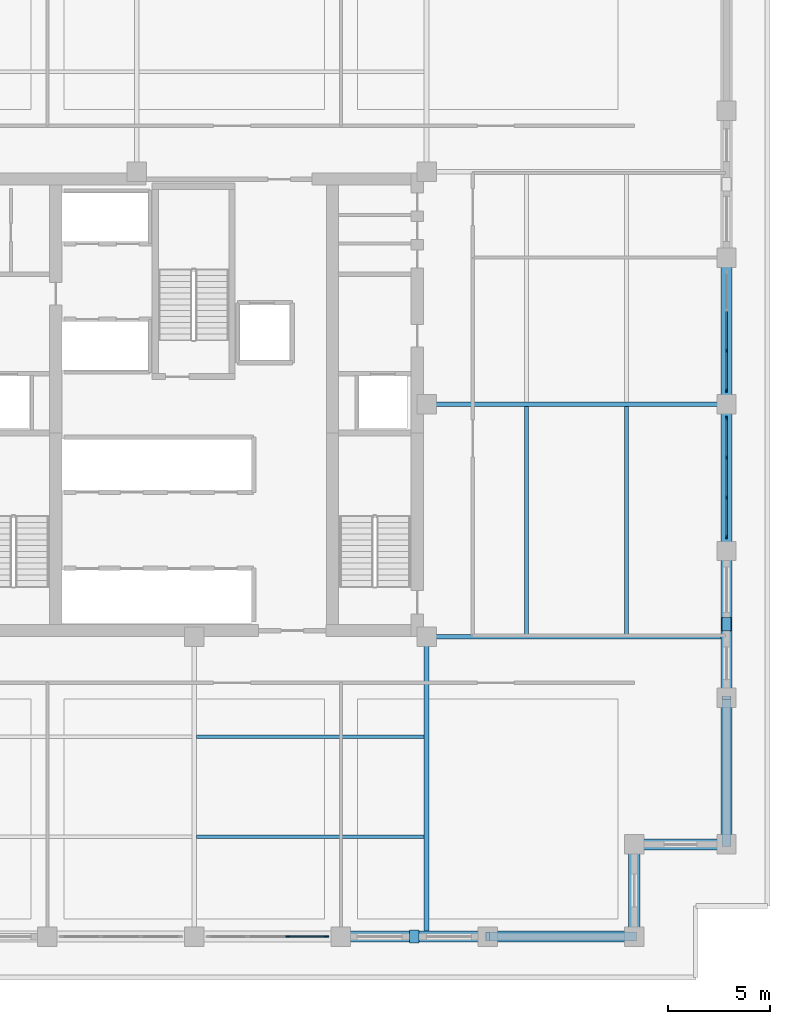
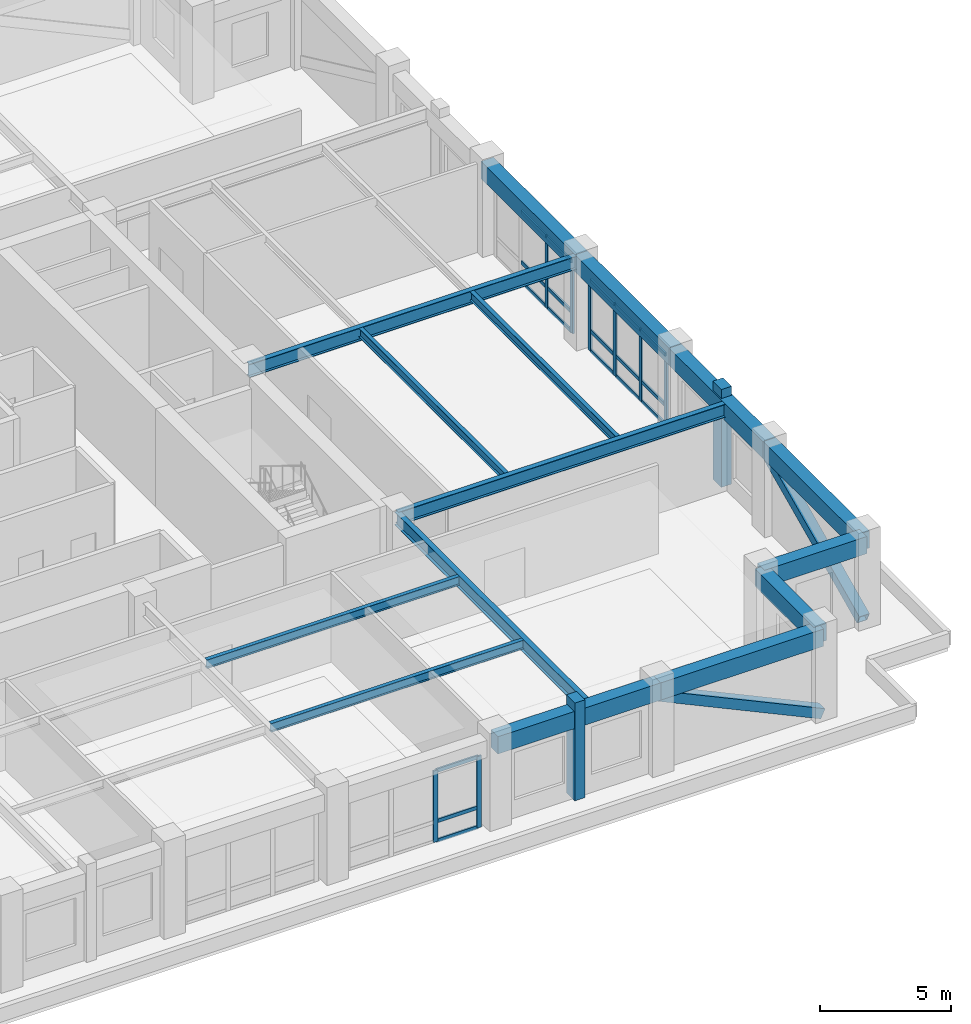
# One storey, part 4 of 16: 30 members, 15 beams, 3 elements without a shape of their own.
"""IFC4 building model written with IfcOpenShell, lengths in metres."""

from ifc_helpers import new_model, si_unit, direction, frame, origin, origin_2d, place, context, subcontext, project, spatial, rectangle, hollow_rectangle, i_section, extrude, material, layer, layer_set, material_profile, profile_set, type_object, element, aggregate, save


model = new_model("IFC4")

# Units and contexts
model_context = context("Model", 3, precision=1e-05, world=origin(), true_north=direction((0.0, 1.0)))
body_context = subcontext(model_context, "Body", "Model", "MODEL_VIEW")
ifc_project = project(units=[si_unit("LENGTHUNIT", "METRE"), si_unit("AREAUNIT", "SQUARE_METRE"), si_unit("VOLUMEUNIT", "CUBIC_METRE"), si_unit("PLANEANGLEUNIT", "RADIAN"), si_unit("MASSUNIT", "GRAM", prefix="KILO")], contexts=[model_context])

# Site, building, storey
site_placement = place(None, origin())
site = spatial("IfcSite", under=ifc_project, at=site_placement, CompositionType="ELEMENT")
building_placement = place(site_placement, origin())
building = spatial("IfcBuilding", under=site, at=building_placement, Name="Nhamokura Convention Tower", CompositionType="ELEMENT")
storey_placement = place(building_placement, frame((0.0, 0.0, 106.050048828125)))
storey = spatial("IfcBuildingStorey", under=building, at=storey_placement, Name="L25", CompositionType="ELEMENT", Elevation=106.050048828125)

# Members
ifc_material_1 = material(Name="Bronze-pigmented precast concrete C45/55", Category="concrete")
ifc_material_profile_1 = material_profile(ifc_material_1, rectangle(XDim=0.449951171875, YDim=0.64990234375, at=origin_2d()))
ifc_profile_set_1 = profile_set([ifc_material_profile_1], Name="Bronze-pigmented precast concrete C45/55")
member_type_1 = type_object("IfcMemberType", Name="BronzePilaster_650", PredefinedType="USERDEFINED", material=ifc_profile_set_1)
for number, where, z_axis, x_axis, name in (
    (1, (42.75, 6.0, 0.0), (0.0, 0.0, 1.0), (1.0, 0.0, 0.0), "L25 Engaged Frame Pilaster SOUTH 4"),
    (2, (58.0, 21.25, 0.0), (0.0, 0.0, 1.0), (1.0, 0.0, 0.0), "L25 Engaged Frame Pilaster EAST 1"),
):
    element("IfcMember", number, at=place(storey_placement, frame(where, z_axis=z_axis, x_axis=x_axis)), inside=storey, type_object=member_type_1, Name=name, ObjectType="PILASTER_TRIM", PredefinedType="USERDEFINED", context=body_context, shape_type="SweptSolid", body=[
        extrude(rectangle(XDim=0.449951171875, YDim=0.64990234375, at=origin_2d()), origin(), (0.0, 0.0, 1.0), 4.550048828125),
    ])

# Curtain wall, members
ifc_material_2 = material(Name="Anodised bronze aluminium AA6063-T6", Category="aluminium")
ifc_layer = layer(ifc_material_2, 0.18994140625)
ifc_layer_set = layer_set([ifc_layer], Name="CWSystem_SkyLobby")
curtain_wall_type = type_object("IfcCurtainWallType", Name="CWSystem_SkyLobby", PredefinedType="NOTDEFINED", material=ifc_layer_set)
curtain_wall_1_placement = place(storey_placement, origin())
curtain_wall_1 = element("IfcCurtainWall", 3, at=curtain_wall_1_placement, inside=storey, type_object=curtain_wall_type, Name="L25 Curtain Wall ENV-L25-CW-S3", PredefinedType="NOTDEFINED")
ifc_material_3 = material(Name="Anodised bronze aluminium AA6063-T6", Category="aluminium")
ifc_material_profile_2 = material_profile(ifc_material_3, rectangle(XDim=0.074951171875, YDim=0.199951171875, at=origin_2d()))
ifc_profile_set_2 = profile_set([ifc_material_profile_2], Name="Anodised bronze aluminium AA6063-T6")
member_type_2 = type_object("IfcMemberType", Name="CWMullion_2", PredefinedType="MULLION", material=ifc_profile_set_2)
member_1_placement = place(storey_placement, frame((38.479248046875, 6.0, 0.0), z_axis=(0.0, 0.0, 1.0), x_axis=(0.0, -1.0, 0.0)))
member_1 = element("IfcMember", 4, at=member_1_placement, type_object=member_type_2, Name="CW-06 mullion 1", PredefinedType="MULLION", context=body_context, shape_type="SweptSolid", body=[
    extrude(rectangle(XDim=0.074951171875, YDim=0.199951171875, at=origin_2d()), origin(), (0.0, 0.0, 1.0), 3.329833984375),
])
member_2_placement = place(storey_placement, frame((36.56103515625, 6.0, 0.0), z_axis=(0.0, 0.0, 1.0), x_axis=(0.0, -1.0, 0.0)))
member_2 = element("IfcMember", 5, at=member_2_placement, type_object=member_type_2, Name="CW-06 mullion 2", PredefinedType="MULLION", context=body_context, shape_type="SweptSolid", body=[
    extrude(rectangle(XDim=0.074951171875, YDim=0.199951171875, at=origin_2d()), origin(), (0.0, 0.0, 1.0), 3.329833984375),
])

curtain_wall_2_placement = place(storey_placement, origin())
curtain_wall_2 = element("IfcCurtainWall", 6, at=curtain_wall_2_placement, inside=storey, type_object=curtain_wall_type, Name="L25 Curtain Wall ENV-L25-CW-E2", PredefinedType="NOTDEFINED")
member_3_placement = place(storey_placement, frame((58.0, 31.3125, 0.0), z_axis=(0.0, 0.0, 1.0), x_axis=(1.0, 0.0, 0.0)))
member_3 = element("IfcMember", 7, at=member_3_placement, type_object=member_type_2, Name="CW-06 mullion 1", PredefinedType="MULLION", context=body_context, shape_type="SweptSolid", body=[
    extrude(rectangle(XDim=0.074951171875, YDim=0.199951171875, at=origin_2d()), origin(), (0.0, 0.0, 1.0), 3.329833984375),
])
member_4_placement = place(storey_placement, frame((58.0, 29.39453125, 0.0), z_axis=(0.0, 0.0, 1.0), x_axis=(1.0, 0.0, 0.0)))
member_4 = element("IfcMember", 8, at=member_4_placement, type_object=member_type_2, Name="CW-06 mullion 2", PredefinedType="MULLION", context=body_context, shape_type="SweptSolid", body=[
    extrude(rectangle(XDim=0.074951171875, YDim=0.199951171875, at=origin_2d()), origin(), (0.0, 0.0, 1.0), 3.329833984375),
])
member_5_placement = place(storey_placement, frame((58.0, 27.43896484375, 0.0), z_axis=(0.0, 0.0, 1.0), x_axis=(1.0, 0.0, 0.0)))
member_5 = element("IfcMember", 9, at=member_5_placement, type_object=member_type_2, Name="CW-06 mullion 3", PredefinedType="MULLION", context=body_context, shape_type="SweptSolid", body=[
    extrude(rectangle(XDim=0.074951171875, YDim=0.199951171875, at=origin_2d()), origin(), (0.0, 0.0, 1.0), 3.329833984375),
])
member_6_placement = place(storey_placement, frame((58.0, 25.520751953125, 0.0), z_axis=(0.0, 0.0, 1.0), x_axis=(1.0, 0.0, 0.0)))
member_6 = element("IfcMember", 10, at=member_6_placement, type_object=member_type_2, Name="CW-06 mullion 4", PredefinedType="MULLION", context=body_context, shape_type="SweptSolid", body=[
    extrude(rectangle(XDim=0.074951171875, YDim=0.199951171875, at=origin_2d()), origin(), (0.0, 0.0, 1.0), 3.329833984375),
])

curtain_wall_3_placement = place(storey_placement, origin())
curtain_wall_3 = element("IfcCurtainWall", 11, at=curtain_wall_3_placement, inside=storey, type_object=curtain_wall_type, Name="L25 Curtain Wall ENV-L25-CW-E3", PredefinedType="NOTDEFINED")
member_7_placement = place(storey_placement, frame((58.0, 34.60546875, 0.0), z_axis=(0.0, 0.0, 1.0), x_axis=(1.0, 0.0, 0.0)))
member_7 = element("IfcMember", 12, at=member_7_placement, type_object=member_type_2, Name="CW-06 mullion 3", PredefinedType="MULLION", context=body_context, shape_type="SweptSolid", body=[
    extrude(rectangle(XDim=0.074951171875, YDim=0.199951171875, at=origin_2d()), origin(), (0.0, 0.0, 1.0), 3.329833984375),
])
member_8_placement = place(storey_placement, frame((58.0, 32.6875, 0.0), z_axis=(0.0, 0.0, 1.0), x_axis=(1.0, 0.0, 0.0)))
member_8 = element("IfcMember", 13, at=member_8_placement, type_object=member_type_2, Name="CW-06 mullion 4", PredefinedType="MULLION", context=body_context, shape_type="SweptSolid", body=[
    extrude(rectangle(XDim=0.074951171875, YDim=0.199951171875, at=origin_2d()), origin(), (0.0, 0.0, 1.0), 3.329833984375),
])

# Member
ifc_material_4 = material(Name="Anodised bronze aluminium AA6063-T6", Category="aluminium")
ifc_material_profile_3 = material_profile(ifc_material_4, rectangle(XDim=0.074951171875, YDim=0.169921875, at=origin_2d()))
ifc_profile_set_3 = profile_set([ifc_material_profile_3], Name="Anodised bronze aluminium AA6063-T6")
member_type_3 = type_object("IfcMemberType", Name="CWTransom_2", PredefinedType="USERDEFINED", material=ifc_profile_set_3)
member_9_placement = place(storey_placement, frame((38.441650390625, 6.0, 0.037353515625), z_axis=(-1.0, 0.0, 0.0), x_axis=(0.0, -1.0, 0.0)))
member_9 = element("IfcMember", 14, at=member_9_placement, type_object=member_type_3, Name="CW-06 transom 1.1", ObjectType="TRANSOM", PredefinedType="USERDEFINED", context=body_context, shape_type="SweptSolid", body=[
    extrude(rectangle(XDim=0.074951171875, YDim=0.169921875, at=origin_2d()), origin(), (0.0, 0.0, 1.0), 1.843017578125),
])

member_10_placement = place(storey_placement, frame((38.441650390625, 6.0, 0.949951171875), z_axis=(-1.0, 0.0, 0.0), x_axis=(0.0, -1.0, 0.0)))
member_10 = element("IfcMember", 15, at=member_10_placement, type_object=member_type_3, Name="CW-06 transom 1.2", ObjectType="TRANSOM", PredefinedType="USERDEFINED", context=body_context, shape_type="SweptSolid", body=[
    extrude(rectangle(XDim=0.074951171875, YDim=0.169921875, at=origin_2d()), origin(), (0.0, 0.0, 1.0), 1.843017578125),
])

member_11_placement = place(storey_placement, frame((38.441650390625, 6.0, 3.29248046875), z_axis=(-1.0, 0.0, 0.0), x_axis=(0.0, -1.0, 0.0)))
member_11 = element("IfcMember", 16, at=member_11_placement, type_object=member_type_3, Name="CW-06 transom 1.3", ObjectType="TRANSOM", PredefinedType="USERDEFINED", context=body_context, shape_type="SweptSolid", body=[
    extrude(rectangle(XDim=0.074951171875, YDim=0.169921875, at=origin_2d()), origin(), (0.0, 0.0, 1.0), 1.843017578125),
])

aggregate(curtain_wall_1, [member_1, member_2, member_9, member_10, member_11])

member_12_placement = place(storey_placement, frame((58.0, 31.27490234375, 0.037353515625), z_axis=(0.0, -1.0, 0.0), x_axis=(1.0, 0.0, 0.0)))
member_12 = element("IfcMember", 17, at=member_12_placement, type_object=member_type_3, Name="CW-06 transom 1.1", ObjectType="TRANSOM", PredefinedType="USERDEFINED", context=body_context, shape_type="SweptSolid", body=[
    extrude(rectangle(XDim=0.074951171875, YDim=0.169921875, at=origin_2d()), origin(), (0.0, 0.0, 1.0), 1.843017578125),
])

member_13_placement = place(storey_placement, frame((58.0, 31.27490234375, 0.949951171875), z_axis=(0.0, -1.0, 0.0), x_axis=(1.0, 0.0, 0.0)))
member_13 = element("IfcMember", 18, at=member_13_placement, type_object=member_type_3, Name="CW-06 transom 1.2", ObjectType="TRANSOM", PredefinedType="USERDEFINED", context=body_context, shape_type="SweptSolid", body=[
    extrude(rectangle(XDim=0.074951171875, YDim=0.169921875, at=origin_2d()), origin(), (0.0, 0.0, 1.0), 1.843017578125),
])

member_14_placement = place(storey_placement, frame((58.0, 31.27490234375, 3.29248046875), z_axis=(0.0, -1.0, 0.0), x_axis=(1.0, 0.0, 0.0)))
member_14 = element("IfcMember", 19, at=member_14_placement, type_object=member_type_3, Name="CW-06 transom 1.3", ObjectType="TRANSOM", PredefinedType="USERDEFINED", context=body_context, shape_type="SweptSolid", body=[
    extrude(rectangle(XDim=0.074951171875, YDim=0.169921875, at=origin_2d()), origin(), (0.0, 0.0, 1.0), 1.843017578125),
])

member_15_placement = place(storey_placement, frame((58.0, 29.35693359375, 0.037353515625), z_axis=(0.0, -1.0, 0.0), x_axis=(1.0, 0.0, 0.0)))
member_15 = element("IfcMember", 20, at=member_15_placement, type_object=member_type_3, Name="CW-06 transom 2.1", ObjectType="TRANSOM", PredefinedType="USERDEFINED", context=body_context, shape_type="SweptSolid", body=[
    extrude(rectangle(XDim=0.074951171875, YDim=0.169921875, at=origin_2d()), origin(), (0.0, 0.0, 1.0), 1.880615234375),
])

member_16_placement = place(storey_placement, frame((58.0, 29.35693359375, 0.949951171875), z_axis=(0.0, -1.0, 0.0), x_axis=(1.0, 0.0, 0.0)))
member_16 = element("IfcMember", 21, at=member_16_placement, type_object=member_type_3, Name="CW-06 transom 2.2", ObjectType="TRANSOM", PredefinedType="USERDEFINED", context=body_context, shape_type="SweptSolid", body=[
    extrude(rectangle(XDim=0.074951171875, YDim=0.169921875, at=origin_2d()), origin(), (0.0, 0.0, 1.0), 1.880615234375),
])

member_17_placement = place(storey_placement, frame((58.0, 29.35693359375, 3.29248046875), z_axis=(0.0, -1.0, 0.0), x_axis=(1.0, 0.0, 0.0)))
member_17 = element("IfcMember", 22, at=member_17_placement, type_object=member_type_3, Name="CW-06 transom 2.3", ObjectType="TRANSOM", PredefinedType="USERDEFINED", context=body_context, shape_type="SweptSolid", body=[
    extrude(rectangle(XDim=0.074951171875, YDim=0.169921875, at=origin_2d()), origin(), (0.0, 0.0, 1.0), 1.880615234375),
])

member_18_placement = place(storey_placement, frame((58.0, 27.4013671875, 0.037353515625), z_axis=(0.0, -1.0, 0.0), x_axis=(1.0, 0.0, 0.0)))
member_18 = element("IfcMember", 23, at=member_18_placement, type_object=member_type_3, Name="CW-06 transom 3.1", ObjectType="TRANSOM", PredefinedType="USERDEFINED", context=body_context, shape_type="SweptSolid", body=[
    extrude(rectangle(XDim=0.074951171875, YDim=0.169921875, at=origin_2d()), origin(), (0.0, 0.0, 1.0), 1.843017578125),
])

member_19_placement = place(storey_placement, frame((58.0, 27.4013671875, 0.949951171875), z_axis=(0.0, -1.0, 0.0), x_axis=(1.0, 0.0, 0.0)))
member_19 = element("IfcMember", 24, at=member_19_placement, type_object=member_type_3, Name="CW-06 transom 3.2", ObjectType="TRANSOM", PredefinedType="USERDEFINED", context=body_context, shape_type="SweptSolid", body=[
    extrude(rectangle(XDim=0.074951171875, YDim=0.169921875, at=origin_2d()), origin(), (0.0, 0.0, 1.0), 1.843017578125),
])

member_20_placement = place(storey_placement, frame((58.0, 27.4013671875, 3.29248046875), z_axis=(0.0, -1.0, 0.0), x_axis=(1.0, 0.0, 0.0)))
member_20 = element("IfcMember", 25, at=member_20_placement, type_object=member_type_3, Name="CW-06 transom 3.3", ObjectType="TRANSOM", PredefinedType="USERDEFINED", context=body_context, shape_type="SweptSolid", body=[
    extrude(rectangle(XDim=0.074951171875, YDim=0.169921875, at=origin_2d()), origin(), (0.0, 0.0, 1.0), 1.843017578125),
])

aggregate(curtain_wall_2, [member_3, member_4, member_5, member_6, member_12, member_13, member_14, member_15, member_16, member_17, member_18, member_19, member_20])

member_21_placement = place(storey_placement, frame((58.0, 36.523681640625, 0.037353515625), z_axis=(0.0, -1.0, 0.0), x_axis=(1.0, 0.0, 0.0)))
member_21 = element("IfcMember", 26, at=member_21_placement, type_object=member_type_3, Name="CW-06 transom 2.1", ObjectType="TRANSOM", PredefinedType="USERDEFINED", context=body_context, shape_type="SweptSolid", body=[
    extrude(rectangle(XDim=0.074951171875, YDim=0.169921875, at=origin_2d()), origin(), (0.0, 0.0, 1.0), 1.880615234375),
])

member_22_placement = place(storey_placement, frame((58.0, 36.523681640625, 0.949951171875), z_axis=(0.0, -1.0, 0.0), x_axis=(1.0, 0.0, 0.0)))
member_22 = element("IfcMember", 27, at=member_22_placement, type_object=member_type_3, Name="CW-06 transom 2.2", ObjectType="TRANSOM", PredefinedType="USERDEFINED", context=body_context, shape_type="SweptSolid", body=[
    extrude(rectangle(XDim=0.074951171875, YDim=0.169921875, at=origin_2d()), origin(), (0.0, 0.0, 1.0), 1.880615234375),
])

member_23_placement = place(storey_placement, frame((58.0, 36.523681640625, 3.29248046875), z_axis=(0.0, -1.0, 0.0), x_axis=(1.0, 0.0, 0.0)))
member_23 = element("IfcMember", 28, at=member_23_placement, type_object=member_type_3, Name="CW-06 transom 2.3", ObjectType="TRANSOM", PredefinedType="USERDEFINED", context=body_context, shape_type="SweptSolid", body=[
    extrude(rectangle(XDim=0.074951171875, YDim=0.169921875, at=origin_2d()), origin(), (0.0, 0.0, 1.0), 1.880615234375),
])

member_24_placement = place(storey_placement, frame((58.0, 34.568115234375, 0.037353515625), z_axis=(0.0, -1.0, 0.0), x_axis=(1.0, 0.0, 0.0)))
member_24 = element("IfcMember", 29, at=member_24_placement, type_object=member_type_3, Name="CW-06 transom 3.1", ObjectType="TRANSOM", PredefinedType="USERDEFINED", context=body_context, shape_type="SweptSolid", body=[
    extrude(rectangle(XDim=0.074951171875, YDim=0.169921875, at=origin_2d()), origin(), (0.0, 0.0, 1.0), 1.843017578125),
])

member_25_placement = place(storey_placement, frame((58.0, 34.568115234375, 0.949951171875), z_axis=(0.0, -1.0, 0.0), x_axis=(1.0, 0.0, 0.0)))
member_25 = element("IfcMember", 30, at=member_25_placement, type_object=member_type_3, Name="CW-06 transom 3.2", ObjectType="TRANSOM", PredefinedType="USERDEFINED", context=body_context, shape_type="SweptSolid", body=[
    extrude(rectangle(XDim=0.074951171875, YDim=0.169921875, at=origin_2d()), origin(), (0.0, 0.0, 1.0), 1.843017578125),
])

member_26_placement = place(storey_placement, frame((58.0, 34.568115234375, 3.29248046875), z_axis=(0.0, -1.0, 0.0), x_axis=(1.0, 0.0, 0.0)))
member_26 = element("IfcMember", 31, at=member_26_placement, type_object=member_type_3, Name="CW-06 transom 3.3", ObjectType="TRANSOM", PredefinedType="USERDEFINED", context=body_context, shape_type="SweptSolid", body=[
    extrude(rectangle(XDim=0.074951171875, YDim=0.169921875, at=origin_2d()), origin(), (0.0, 0.0, 1.0), 1.843017578125),
])

aggregate(curtain_wall_3, [member_7, member_8, member_21, member_22, member_23, member_24, member_25, member_26])

# Beams
ifc_material_5 = material(Name="Steel ASTM A992 Gr 50", Category="steel")
ifc_material_profile_4 = material_profile(ifc_material_5, i_section(OverallWidth=0.177001953125, OverallDepth=0.403076171875, WebThickness=0.007568359375, FlangeThickness=0.010986328125, at=origin_2d()))
ifc_profile_set_4 = profile_set([ifc_material_profile_4], Name="Steel ASTM A992 Gr 50")
beam_type_1 = type_object("IfcBeamType", Name="FloorJoist_W410X53", PredefinedType="JOIST", material=ifc_profile_set_4)
for number, where, z_axis, x_axis, name in (
    (32, (32.113037109375, 10.88330078125, 3.928466796875), (1.0, 0.0, 0.0), (0.0, 1.0, 0.0), "L25 Composite Floor Joist S1B"),
    (33, (32.113037109375, 15.7666015625, 3.928466796875), (1.0, 0.0, 0.0), (0.0, 1.0, 0.0), "L25 Composite Floor Joist S2B"),
    (34, (48.2333984375, 20.762939453125, 3.928466796875), (0.0, 1.0, 0.0), (-1.0, 0.0, 0.0), "L25 Composite Floor Joist E1A"),
    (35, (53.11669921875, 20.762939453125, 3.928466796875), (0.0, 1.0, 0.0), (-1.0, 0.0, 0.0), "L25 Composite Floor Joist E2A"),
):
    element("IfcBeam", number, at=place(storey_placement, frame(where, z_axis=z_axis, x_axis=x_axis)), inside=storey, type_object=beam_type_1, Name=name, PredefinedType="JOIST", context=body_context, shape_type="SweptSolid", body=[
        extrude(i_section(OverallWidth=0.177001953125, OverallDepth=0.403076171875, WebThickness=0.007568359375, FlangeThickness=0.010986328125, at=origin_2d()), origin(), (0.0, 0.0, 1.0), 11.1240234375),
    ])
ifc_material_6 = material(Name="Steel ASTM A992 Gr 50", Category="steel")
ifc_material_profile_5 = material_profile(ifc_material_6, i_section(OverallWidth=0.22998046875, OverallDepth=0.616943359375, WebThickness=0.01318359375, FlangeThickness=0.022216796875, at=origin_2d()))
ifc_profile_set_5 = profile_set([ifc_material_profile_5], Name="Steel ASTM A992 Gr 50")
beam_type_2 = type_object("IfcBeamType", Name="PrimaryGirder_W610X140", PredefinedType="BEAM", material=ifc_profile_set_5)
for number, where, z_axis, x_axis, name in (
    (36, (43.35009765625, 6.0, 3.821533203125), (0.0, 1.0, 0.0), (-1.0, 0.0, 0.0), "L25 Primary Floor Girder PG-S3"),
    (37, (43.35009765625, 20.64990234375, 3.821533203125), (1.0, 0.0, 0.0), (0.0, 1.0, 0.0), "L25 Primary Floor Girder PG-E1"),
    (38, (43.35009765625, 32.0, 3.821533203125), (1.0, 0.0, 0.0), (0.0, 1.0, 0.0), "L25 Primary Floor Girder PG-E2"),
):
    element("IfcBeam", number, at=place(storey_placement, frame(where, z_axis=z_axis, x_axis=x_axis)), inside=storey, type_object=beam_type_2, Name=name, PredefinedType="BEAM", context=body_context, shape_type="SweptSolid", body=[
        extrude(i_section(OverallWidth=0.22998046875, OverallDepth=0.616943359375, WebThickness=0.01318359375, FlangeThickness=0.022216796875, at=origin_2d()), origin(), (0.0, 0.0, 1.0), 14.64990234375),
    ])

# Members
ifc_material_7 = material(Name="Steel ASTM A572 Gr 50", Category="steel")
ifc_material_profile_6 = material_profile(ifc_material_7, hollow_rectangle(XDim=0.449951171875, YDim=0.449951171875, WallThickness=0.02197265625, at=origin_2d()))
ifc_profile_set_6 = profile_set([ifc_material_profile_6], Name="Steel ASTM A572 Gr 50")
member_type_4 = type_object("IfcMemberType", Name="TubeBrace_HSS450", PredefinedType="BRACE", material=ifc_profile_set_6)
for number, where, z_axis, x_axis, name in (
    (39, (53.5, 6.0, 0.14990234375), (-0.906880391441, 0.0, 0.421388129424), (0.0, -1.0, 0.0), "L25 Perimeter Tube Brace SOUTH Bay 5"),
    (40, (58.0, 10.5, 0.14990234375), (0.0, 0.906880391441, 0.421388129424), (-1.0, 0.0, 0.0), "L25 Perimeter Tube Brace EAST Bay 0"),
):
    element("IfcMember", number, at=place(storey_placement, frame(where, z_axis=z_axis, x_axis=x_axis)), inside=storey, type_object=member_type_4, Name=name, PredefinedType="BRACE", context=body_context, shape_type="SweptSolid", body=[
        extrude(hollow_rectangle(XDim=0.449951171875, YDim=0.449951171875, WallThickness=0.02197265625, at=origin_2d()), origin(), (0.0, 0.0, 1.0), 7.902587890625),
    ])

# Beams
ifc_material_8 = material(Name="Concrete C50/60", Category="concrete")
ifc_material_profile_7 = material_profile(ifc_material_8, rectangle(XDim=0.550048828125, YDim=0.800048828125, at=origin_2d()))
ifc_profile_set_7 = profile_set([ifc_material_profile_7], Name="Concrete C50/60")
beam_type_3 = type_object("IfcBeamType", Name="TubeSpandrel_800", PredefinedType="SPANDREL", material=ifc_profile_set_7)
beam_1_placement = place(storey_placement, frame((39.166748046875, 6.0, 3.72998046875), z_axis=(1.0, 0.0, 0.0), x_axis=(0.0, 1.0, 0.0)))
element("IfcBeam", 41, at=beam_1_placement, inside=storey, type_object=beam_type_3, Name="L25 Perimeter Spandrel SOUTH 5", PredefinedType="SPANDREL", context=body_context, shape_type="SweptSolid", body=[
    extrude(rectangle(XDim=0.550048828125, YDim=0.800048828125, at=origin_2d()), origin(), (0.0, 0.0, 1.0), 7.16650390625),
])
for number, where, z_axis, x_axis, name in (
    (42, (46.333251953125, 6.0, 3.72998046875), (1.0, 0.0, 0.0), (0.0, 1.0, 0.0), "L25 Perimeter Spandrel SOUTH 6"),
    (43, (58.0, 10.5, 3.72998046875), (0.0, 1.0, 0.0), (-1.0, 0.0, 0.0), "L25 Perimeter Spandrel EAST 1"),
):
    element("IfcBeam", number, at=place(storey_placement, frame(where, z_axis=z_axis, x_axis=x_axis)), inside=storey, type_object=beam_type_3, Name=name, PredefinedType="SPANDREL", context=body_context, shape_type="SweptSolid", body=[
        extrude(rectangle(XDim=0.550048828125, YDim=0.800048828125, at=origin_2d()), origin(), (0.0, 0.0, 1.0), 7.166748046875),
    ])
beam_2_placement = place(storey_placement, frame((58.0, 17.666748046875, 3.72998046875), z_axis=(0.0, 1.0, 0.0), x_axis=(-1.0, 0.0, 0.0)))
element("IfcBeam", 44, at=beam_2_placement, inside=storey, type_object=beam_type_3, Name="L25 Perimeter Spandrel EAST 2", PredefinedType="SPANDREL", context=body_context, shape_type="SweptSolid", body=[
    extrude(rectangle(XDim=0.550048828125, YDim=0.800048828125, at=origin_2d()), origin(), (0.0, 0.0, 1.0), 7.16650390625),
])
for number, where, z_axis, x_axis, name in (
    (45, (58.0, 24.833251953125, 3.72998046875), (0.0, 1.0, 0.0), (-1.0, 0.0, 0.0), "L25 Perimeter Spandrel EAST 3"),
    (46, (58.0, 32.0, 3.72998046875), (0.0, 1.0, 0.0), (-1.0, 0.0, 0.0), "L25 Perimeter Spandrel EAST 4"),
):
    element("IfcBeam", number, at=place(storey_placement, frame(where, z_axis=z_axis, x_axis=x_axis)), inside=storey, type_object=beam_type_3, Name=name, PredefinedType="SPANDREL", context=body_context, shape_type="SweptSolid", body=[
        extrude(rectangle(XDim=0.550048828125, YDim=0.800048828125, at=origin_2d()), origin(), (0.0, 0.0, 1.0), 7.166748046875),
    ])
for number, where, z_axis, x_axis, name in (
    (47, (53.5, 6.0, 3.72998046875), (0.0, 1.0, 0.0), (-1.0, 0.0, 0.0), "L25 Notch Spandrel SE1"),
    (48, (53.5, 10.5, 3.72998046875), (1.0, 0.0, 0.0), (0.0, 1.0, 0.0), "L25 Notch Spandrel SE2"),
):
    element("IfcBeam", number, at=place(storey_placement, frame(where, z_axis=z_axis, x_axis=x_axis)), inside=storey, type_object=beam_type_3, Name=name, PredefinedType="SPANDREL", context=body_context, shape_type="SweptSolid", body=[
        extrude(rectangle(XDim=0.550048828125, YDim=0.800048828125, at=origin_2d()), origin(), (0.0, 0.0, 1.0), 4.5),
    ])

save(model, "model.ifc")
